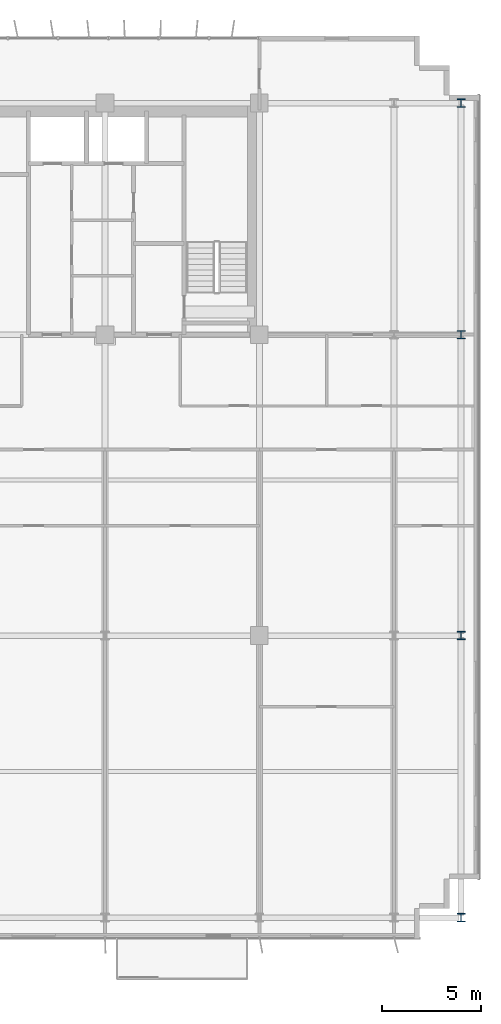
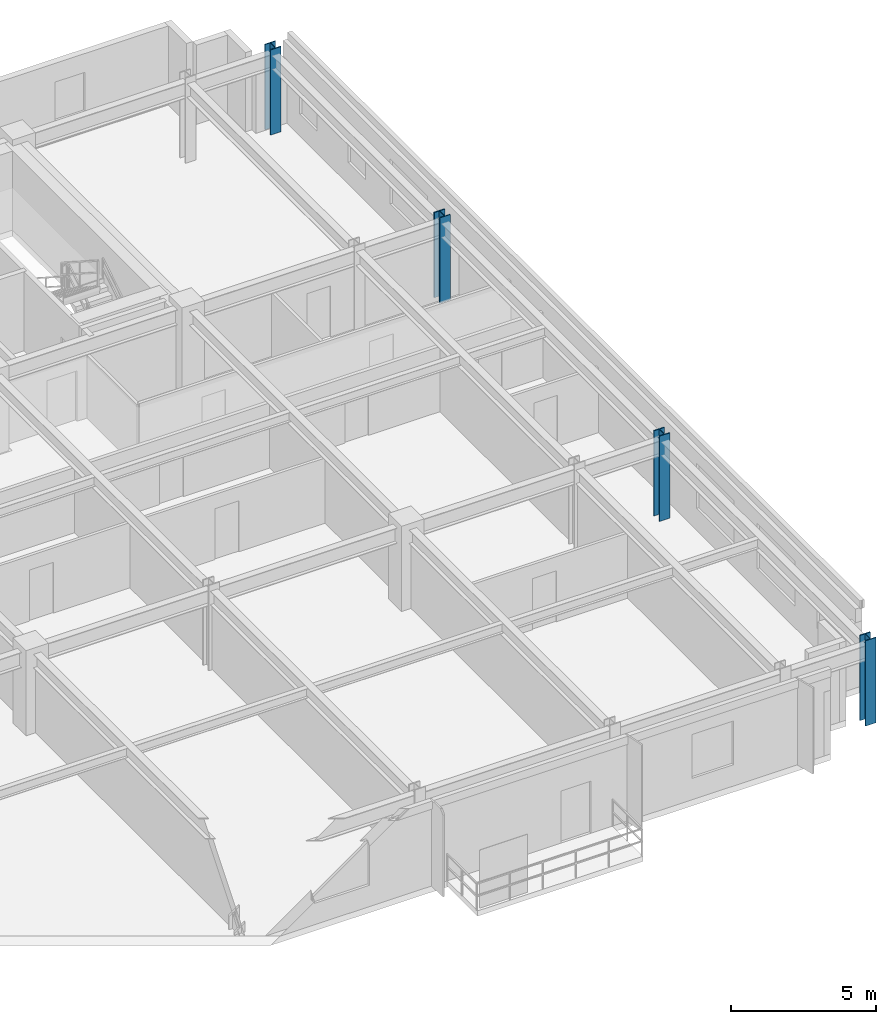
# One storey, part 3 of 21: 4 columns.
"""IFC4 building model written with IfcOpenShell, lengths in metres."""

from ifc_helpers import new_model, si_unit, direction, frame, origin, origin_2d, place, context, subcontext, project, spatial, i_section, extrude, source, transform, mapped, material, material_profile, profile_set, type_object, element, save


model = new_model("IFC4")

# Units and contexts
model_context = context("Model", 3, precision=1e-05, world=origin(), true_north=direction((0.0, 1.0)))
body_context = subcontext(model_context, "Body", "Model", "MODEL_VIEW")
ifc_project = project(units=[si_unit("LENGTHUNIT", "METRE"), si_unit("AREAUNIT", "SQUARE_METRE"), si_unit("VOLUMEUNIT", "CUBIC_METRE"), si_unit("PLANEANGLEUNIT", "RADIAN"), si_unit("MASSUNIT", "GRAM", prefix="KILO")], contexts=[model_context])

# Site, building, storey
site_placement = place(None, origin())
site = spatial("IfcSite", under=ifc_project, at=site_placement, CompositionType="ELEMENT")
building_placement = place(site_placement, origin())
building = spatial("IfcBuilding", under=site, at=building_placement, Name="Trelvane Seafront Commons", CompositionType="ELEMENT")
storey_placement = place(building_placement, frame((0.0, 0.0, 34.300048828125)))
storey = spatial("IfcBuildingStorey", under=building, at=storey_placement, Name="L08", CompositionType="ELEMENT", Elevation=34.300048828125)

# Columns
ifc_material = material(Name="Steel SM355 (S355)", Category="steel")
ifc_material_profile = material_profile(ifc_material, i_section(OverallWidth=0.419921875, OverallDepth=0.419921875, WebThickness=0.02587890625, FlangeThickness=0.0400390625, at=origin_2d()), Name="HD-420x420x26x40")
ifc_profile_set = profile_set([ifc_material_profile], Name="Steel SM355 (S355)")
column_type = type_object("IfcColumnType", Name="STR-COL-HD420", PredefinedType="COLUMN", material=ifc_profile_set)
shared_shape = source(origin(), body_context, "Body", "SweptSolid", [
    extrude(i_section(OverallWidth=0.419921875, OverallDepth=0.419921875, WebThickness=0.02587890625, FlangeThickness=0.0400390625, at=origin_2d()), origin(), (0.0, 0.0, 1.0), 3.599853515625),
])
for number, where, z_axis, x_axis, name in (
    (1, (69.0, 3.949951171875, 0.0), (0.0, 0.0, 1.0), (1.0, 0.0, 0.0), "L08 Column TC-S69.0"),
    (2, (69.0, 18.199951171875, 0.0), (0.0, 0.0, 1.0), (1.0, 0.0, 0.0), "L08 Column TC-M69.0"),
    (3, (69.0, 33.39990234375, 0.0), (0.0, 0.0, 1.0), (1.0, 0.0, 0.0), "L08 Column TC-CS69.0"),
    (4, (69.0, 45.10009765625, 0.0), (0.0, 0.0, 1.0), (1.0, 0.0, 0.0), "L08 Column TC-CN69.0"),
):
    element("IfcColumn", number, at=place(storey_placement, frame(where, z_axis=z_axis, x_axis=x_axis)), inside=storey, type_object=column_type, Name=name, PredefinedType="COLUMN", context=body_context, shape_type="MappedRepresentation", body=[
        mapped(shared_shape, transform((0.0, 0.0, 0.0), x_axis=(1.0, 0.0, 0.0), y_axis=(0.0, 1.0, 0.0), z_axis=(0.0, 0.0, 1.0), scale=1.0)),
    ])

save(model, "model.ifc")
